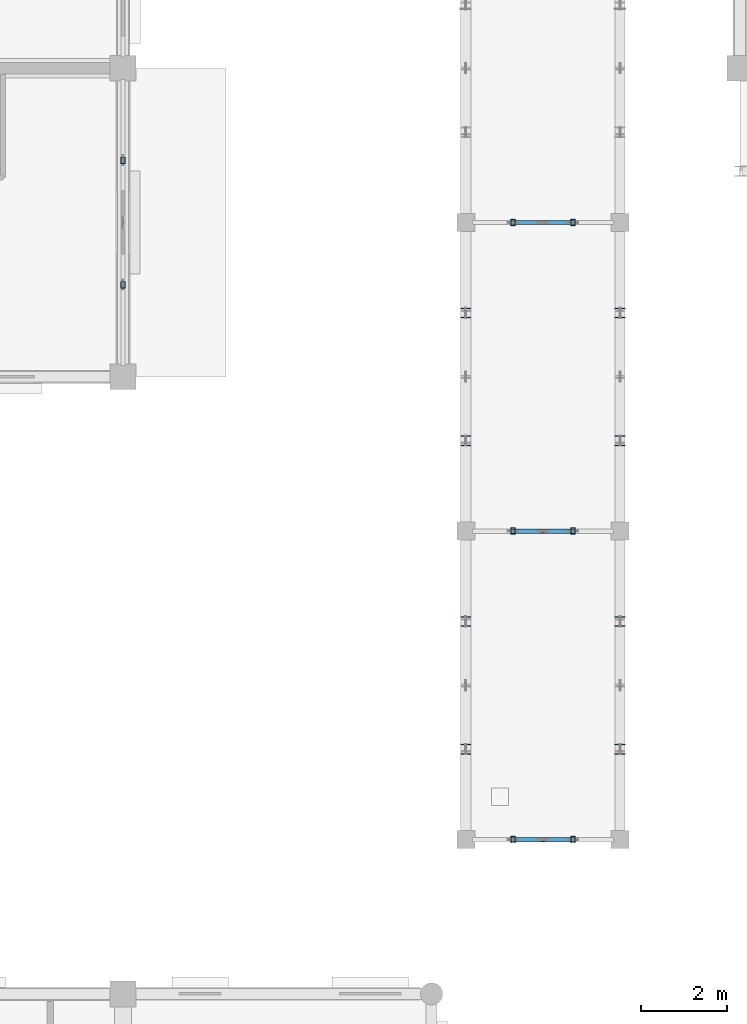
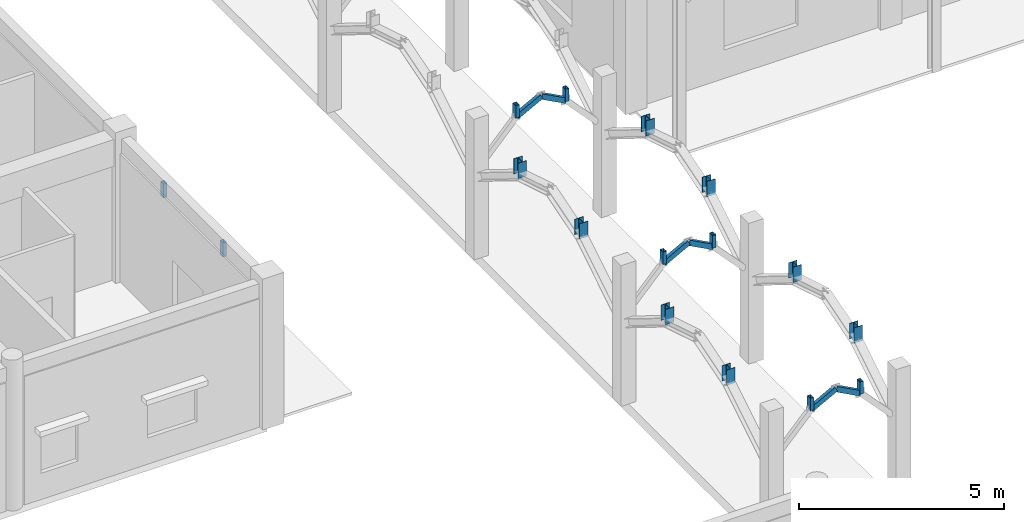
# One storey, part 36 of 138: 22 members.
"""IFC4 building model written with IfcOpenShell, lengths in metres."""

import ifcopenshell
import ifcopenshell.guid

model = None  # the IFC model being written
_history = None  # IfcOwnerHistory: only IFC2X3 demands one
_inside = {}  # id of a spatial element -> (the spatial element, [elements in it])
_under = {}  # id of a project, library or spatial element -> (it, [spatial elements below it])
_declared = {}  # id of a project -> (the project, [libraries it declares])
_typed = {}  # id of a type object -> (the type object, [elements of that type])
_made_of = {}  # id of a material, layer set ... -> (it, [elements and type objects made of it])


def new_model(schema):
    """Start an empty IFC model of exactly this schema.

    Asked for "IFC4X3", IfcOpenShell would pick the latest addendum, in which some entities
    have other attributes; the version numbers below select the first issue.
    IFC2X3 requires an IfcOwnerHistory on every rooted entity: one is made here for all.
    """
    global model, _history
    if schema == "IFC4X3":
        model = ifcopenshell.file(schema_version=(4, 3, 0, 0))
    else:
        model = ifcopenshell.file(schema=schema)
    _inside.clear()
    _under.clear()
    _declared.clear()
    _typed.clear()
    _made_of.clear()
    _history = None
    if model.schema == "IFC2X3":
        org = make("IfcOrganization", Name="unknown")
        user = make(
            "IfcPersonAndOrganization",
            ThePerson=make("IfcPerson", FamilyName="unknown"),
            TheOrganization=org,
        )
        app = make(
            "IfcApplication",
            ApplicationDeveloper=org,
            Version="unknown",
            ApplicationFullName="unknown",
            ApplicationIdentifier="unknown",
        )
        _history = make(
            "IfcOwnerHistory",
            OwningUser=user,
            OwningApplication=app,
            ChangeAction="ADDED",
            CreationDate=0,
        )
    return model


def make(cls, **values):
    """One entity of the class cls with the attributes given. An attribute that is None is left unset."""
    return model.create_entity(
        cls, **{name: value for name, value in values.items() if value is not None}
    )


def rooted(cls, **values):
    """An entity with a GlobalId (a new one), such as an element, a storey or a relation."""
    return make(cls, GlobalId=ifcopenshell.guid.new(), OwnerHistory=_history, **values)


def si_unit(unit_type, name, prefix=None):
    """IfcSIUnit, for example si_unit("LENGTHUNIT", "METRE", prefix="MILLI")."""
    return make("IfcSIUnit", UnitType=unit_type, Prefix=prefix, Name=name)


def assignment(units):
    """IfcUnitAssignment: the units of a project."""
    return None if units is None else make("IfcUnitAssignment", Units=units)


def point(xyz):
    """IfcCartesianPoint."""
    return None if xyz is None else make("IfcCartesianPoint", Coordinates=xyz)


def direction(xyz):
    """IfcDirection."""
    return None if xyz is None else make("IfcDirection", DirectionRatios=xyz)


def frame(location, z_axis=None, x_axis=None):
    """IfcAxis2Placement3D, a coordinate frame: its origin and axes. An axis left out is left unset."""
    return make(
        "IfcAxis2Placement3D",
        Location=point(location),
        Axis=direction(z_axis),
        RefDirection=direction(x_axis),
    )


def frame_2d(location, x_axis=None):
    """IfcAxis2Placement2D, a coordinate frame in the plane: its origin and x axis."""
    return make(
        "IfcAxis2Placement2D", Location=point(location), RefDirection=direction(x_axis)
    )


def origin():
    """The frame at (0, 0, 0) with its axes left unset."""
    return frame((0.0, 0.0, 0.0))


def origin_2d():
    """The frame at (0, 0) in the plane with its x axis left unset."""
    return frame_2d((0.0, 0.0))


def place(relative_to, where):
    """IfcLocalPlacement: puts the frame where relative to a parent placement (None: the world)."""
    return make(
        "IfcLocalPlacement", PlacementRelTo=relative_to, RelativePlacement=where
    )


def context(
    kind, dimensions, precision=None, world=None, true_north=None, identifier=None
):
    """IfcGeometricRepresentationContext, for example the 3D "Model" context."""
    return make(
        "IfcGeometricRepresentationContext",
        ContextIdentifier=identifier,
        ContextType=kind,
        CoordinateSpaceDimension=dimensions,
        Precision=precision,
        WorldCoordinateSystem=world,
        TrueNorth=true_north,
    )


def subcontext(parent, identifier, kind, view, scale=None):
    """IfcGeometricRepresentationSubContext, for example "Body" below "Model"."""
    return make(
        "IfcGeometricRepresentationSubContext",
        ContextIdentifier=identifier,
        ContextType=kind,
        ParentContext=parent,
        TargetScale=scale,
        TargetView=view,
    )


def project(units=None, contexts=None):
    """IfcProject with its units and contexts."""
    return rooted(
        "IfcProject",
        Name="project",
        RepresentationContexts=contexts,
        UnitsInContext=assignment(units),
    )


def spatial(cls, under=None, at=None, **own):
    """A site, building, storey or space (cls), placed at a placement, below another one or the project."""
    s = rooted(cls, ObjectPlacement=at, **own)
    if under is not None:
        _under.setdefault(under.id(), (under, []))[1].append(s)
    return s


def profile(cls, at=None, kind="AREA", **sizes):
    """A parametric profile (cls). Its sizes go by their IFC names, for example OverallWidth=200.0."""
    return make(cls, ProfileType=kind, Position=at, **sizes)


def hollow_rectangle(**sizes):
    """IfcRectangleHollowProfileDef."""
    return profile("IfcRectangleHollowProfileDef", **sizes)


def i_section(**sizes):
    """IfcIShapeProfileDef."""
    return profile("IfcIShapeProfileDef", **sizes)


def extrude(swept, where, along, depth):
    """IfcExtrudedAreaSolid: the profile swept, set in the frame where, extruded along a direction by depth."""
    return make(
        "IfcExtrudedAreaSolid",
        SweptArea=swept,
        Position=where,
        ExtrudedDirection=direction(along),
        Depth=depth,
    )


def shape(context_of_items, identifier, shape_type, items):
    """IfcShapeRepresentation: the items that make up one representation, for example the "Body"."""
    return make(
        "IfcShapeRepresentation",
        ContextOfItems=context_of_items,
        RepresentationIdentifier=identifier,
        RepresentationType=shape_type,
        Items=items,
    )


def material(Name=None, Category=None):
    """IfcMaterial."""
    return make("IfcMaterial", Name=Name, Category=Category)


def material_profile(
    of_material, cross_section, Name=None, Category=None, Priority=None
):
    """IfcMaterialProfile: a cross section and its material."""
    return make(
        "IfcMaterialProfile",
        Name=Name,
        Material=of_material,
        Profile=cross_section,
        Priority=Priority,
        Category=Category,
    )


def profile_set(profiles, Name=None, composite=None):
    """IfcMaterialProfileSet."""
    return make(
        "IfcMaterialProfileSet",
        Name=Name,
        MaterialProfiles=profiles,
        CompositeProfile=composite,
    )


def made_of(thing, what):
    """Note that an element or type object is made of a material, layer set ...; save() writes the relation."""
    if what is not None:
        _made_of.setdefault(what.id(), (what, []))[1].append(thing)
    return thing


def type_object(cls, material=None, **own):
    """A type object (cls), such as IfcWallType, which elements share."""
    return made_of(rooted(cls, **own), material)


def element(
    cls,
    number,
    at=None,
    inside=None,
    cuts=None,
    type_object=None,
    material=None,
    context=None,
    identifier="Body",
    shape_type=None,
    held_by="IfcProductDefinitionShape",
    body=None,
    shapes=None,
    **own,
):
    """One element of the class cls, such as IfcWall. Its Tag is "e" and its number.

    at: its placement. inside: the storey or other place that contains it. cuts: it is an
    opening in that element (IfcRelVoidsElement). A single representation is given by context,
    identifier, shape_type and body (its items); several are given by shapes. held_by: the class
    of the entity that holds the representations. save() writes the other relations.
    """
    e = rooted(cls, Tag="e%d" % number, ObjectPlacement=at, **own)
    if body is not None:
        shapes = [shape(context, identifier, shape_type, body)]
    if shapes is not None:
        e.Representation = make(held_by, Representations=shapes)
    if inside is not None:
        _inside.setdefault(inside.id(), (inside, []))[1].append(e)
    if cuts is not None:
        rooted(
            "IfcRelVoidsElement", RelatingBuildingElement=cuts, RelatedOpeningElement=e
        )
    if type_object is not None:
        _typed.setdefault(type_object.id(), (type_object, []))[1].append(e)
    return made_of(e, material)


def aggregate(whole, parts):
    """IfcRelAggregates: a whole, such as a stair, and the parts it consists of."""
    return rooted("IfcRelAggregates", RelatingObject=whole, RelatedObjects=parts)


def save(model, path):
    """Write the relations noted so far, then the file.

    IfcRelAggregates (storeys below a building ...), IfcRelContainedInSpatialStructure (elements
    in a storey), IfcRelDefinesByType, IfcRelAssociatesMaterial and IfcRelDeclares: one each for
    every whole, place, type object, material and project.
    """
    for whole, parts in _under.values():
        aggregate(whole, parts)
    for where, things in _inside.values():
        rooted(
            "IfcRelContainedInSpatialStructure",
            RelatedElements=things,
            RelatingStructure=where,
        )
    for kind, things in _typed.values():
        rooted("IfcRelDefinesByType", RelatedObjects=things, RelatingType=kind)
    for what, things in _made_of.values():
        rooted("IfcRelAssociatesMaterial", RelatedObjects=things, RelatingMaterial=what)
    for by, libraries in _declared.values():
        rooted("IfcRelDeclares", RelatingContext=by, RelatedDefinitions=libraries)
    model.write(path)


model = new_model("IFC4")

# Units and contexts
model_context = context("Model", 3, precision=1e-05, world=origin(), true_north=direction((0.0, 1.0)))
body_context = subcontext(model_context, "Body", "Model", "MODEL_VIEW")
ifc_project = project(units=[si_unit("LENGTHUNIT", "METRE"), si_unit("AREAUNIT", "SQUARE_METRE"), si_unit("VOLUMEUNIT", "CUBIC_METRE"), si_unit("PLANEANGLEUNIT", "RADIAN"), si_unit("MASSUNIT", "GRAM", prefix="KILO"), si_unit("THERMODYNAMICTEMPERATUREUNIT", "KELVIN"), si_unit("POWERUNIT", "WATT")], contexts=[model_context])

# Site, building, storey
site_placement = place(None, origin())
site = spatial("IfcSite", under=ifc_project, at=site_placement, CompositionType="ELEMENT")
building_placement = place(site_placement, origin())
building = spatial("IfcBuilding", under=site, at=building_placement, Name="Tavuni Mirador Residences", CompositionType="ELEMENT")
storey_placement = place(building_placement, origin())
storey = spatial("IfcBuildingStorey", under=building, at=storey_placement, Name="L00", CompositionType="ELEMENT", Elevation=0.0)

# Members
ifc_material = material(Name="Structural steel S355", Category="steel")
ifc_material_profile_1 = material_profile(ifc_material, hollow_rectangle(XDim=0.10009765625, YDim=0.14990234375, WallThickness=0.008056640625, at=origin_2d()), Name="RHS 150x100x8.0", Category="steel")
ifc_profile_set_1 = profile_set([ifc_material_profile_1], Name="Structural steel S355")
member_type_1 = type_object("IfcMemberType", Name="MT-BR-RHS150", PredefinedType="BRACE", material=ifc_profile_set_1)
member_1_placement = place(storey_placement, frame((34.30029296875, 54.0, 3.70751953125), z_axis=(0.0, 0.0, 1.0), x_axis=(1.0, 0.0, 0.0)))
element("IfcMember", 1, at=member_1_placement, inside=storey, type_object=member_type_1, Name="ARCH-COLO-T-00-V1", PredefinedType="BRACE", context=body_context, shape_type="SweptSolid", body=[
    extrude(hollow_rectangle(XDim=0.10009765625, YDim=0.14990234375, WallThickness=0.008056640625, at=origin_2d()), origin(), (0.0, 0.0, 1.0), 0.37255859375),
])
for number, where, z_axis, x_axis, name in (
    (2, (34.30029296875, 54.0, 3.70751953125), (0.882676699417, 0.0, 0.469980685035), (0.0, 1.0, 0.0), "ARCH-COLO-T-00-S1"),
    (3, (35.0, 54.0, 4.080078125), (0.882676699417, 0.0, -0.469980685035), (0.0, 1.0, 0.0), "ARCH-COLO-T-00-S2"),
):
    element("IfcMember", number, at=place(storey_placement, frame(where, z_axis=z_axis, x_axis=x_axis)), inside=storey, type_object=member_type_1, Name=name, PredefinedType="BRACE", context=body_context, shape_type="SweptSolid", body=[
        extrude(hollow_rectangle(XDim=0.10009765625, YDim=0.14990234375, WallThickness=0.008056640625, at=origin_2d()), origin(), (0.0, 0.0, 1.0), 0.792724609375),
    ])
for number, where, z_axis, x_axis, name in (
    (4, (35.69970703125, 54.0, 3.70751953125), (0.0, 0.0, 1.0), (1.0, 0.0, 0.0), "ARCH-COLO-T-00-V2"),
    (5, (34.30029296875, 61.199951171875, 3.70751953125), (0.0, 0.0, 1.0), (1.0, 0.0, 0.0), "ARCH-COLO-T-01-V1"),
):
    element("IfcMember", number, at=place(storey_placement, frame(where, z_axis=z_axis, x_axis=x_axis)), inside=storey, type_object=member_type_1, Name=name, PredefinedType="BRACE", context=body_context, shape_type="SweptSolid", body=[
        extrude(hollow_rectangle(XDim=0.10009765625, YDim=0.14990234375, WallThickness=0.008056640625, at=origin_2d()), origin(), (0.0, 0.0, 1.0), 0.37255859375),
    ])
for number, where, z_axis, x_axis, name in (
    (6, (34.30029296875, 61.199951171875, 3.70751953125), (0.882676699417, 0.0, 0.469980685035), (0.0, 1.0, 0.0), "ARCH-COLO-T-01-S1"),
    (7, (35.0, 61.199951171875, 4.080078125), (0.882676699417, 0.0, -0.469980685035), (0.0, 1.0, 0.0), "ARCH-COLO-T-01-S2"),
):
    element("IfcMember", number, at=place(storey_placement, frame(where, z_axis=z_axis, x_axis=x_axis)), inside=storey, type_object=member_type_1, Name=name, PredefinedType="BRACE", context=body_context, shape_type="SweptSolid", body=[
        extrude(hollow_rectangle(XDim=0.10009765625, YDim=0.14990234375, WallThickness=0.008056640625, at=origin_2d()), origin(), (0.0, 0.0, 1.0), 0.792724609375),
    ])
for number, where, z_axis, x_axis, name in (
    (8, (35.69970703125, 61.199951171875, 3.70751953125), (0.0, 0.0, 1.0), (1.0, 0.0, 0.0), "ARCH-COLO-T-01-V2"),
    (9, (34.30029296875, 68.39990234375, 3.70751953125), (0.0, 0.0, 1.0), (1.0, 0.0, 0.0), "ARCH-COLO-T-02-V1"),
):
    element("IfcMember", number, at=place(storey_placement, frame(where, z_axis=z_axis, x_axis=x_axis)), inside=storey, type_object=member_type_1, Name=name, PredefinedType="BRACE", context=body_context, shape_type="SweptSolid", body=[
        extrude(hollow_rectangle(XDim=0.10009765625, YDim=0.14990234375, WallThickness=0.008056640625, at=origin_2d()), origin(), (0.0, 0.0, 1.0), 0.37255859375),
    ])
for number, where, z_axis, x_axis, name in (
    (10, (34.30029296875, 68.39990234375, 3.70751953125), (0.882676699417, 0.0, 0.469980685035), (0.0, 1.0, 0.0), "ARCH-COLO-T-02-S1"),
    (11, (35.0, 68.39990234375, 4.080078125), (0.882676699417, 0.0, -0.469980685035), (0.0, 1.0, 0.0), "ARCH-COLO-T-02-S2"),
):
    element("IfcMember", number, at=place(storey_placement, frame(where, z_axis=z_axis, x_axis=x_axis)), inside=storey, type_object=member_type_1, Name=name, PredefinedType="BRACE", context=body_context, shape_type="SweptSolid", body=[
        extrude(hollow_rectangle(XDim=0.10009765625, YDim=0.14990234375, WallThickness=0.008056640625, at=origin_2d()), origin(), (0.0, 0.0, 1.0), 0.792724609375),
    ])
member_2_placement = place(storey_placement, frame((35.69970703125, 68.39990234375, 3.70751953125), z_axis=(0.0, 0.0, 1.0), x_axis=(1.0, 0.0, 0.0)))
element("IfcMember", 12, at=member_2_placement, inside=storey, type_object=member_type_1, Name="ARCH-COLO-T-02-V2", PredefinedType="BRACE", context=body_context, shape_type="SweptSolid", body=[
    extrude(hollow_rectangle(XDim=0.10009765625, YDim=0.14990234375, WallThickness=0.008056640625, at=origin_2d()), origin(), (0.0, 0.0, 1.0), 0.37255859375),
])
for number, where, z_axis, x_axis, name in (
    (13, (25.199951171875, 66.947998046875, 3.6298828125), (0.0, 0.0, 1.0), (1.0, 0.0, 0.0), "ARCH-BLKB-E-00-V1"),
    (14, (25.199951171875, 69.85205078125, 3.6298828125), (0.0, 0.0, 1.0), (1.0, 0.0, 0.0), "ARCH-BLKB-E-00-V2"),
):
    element("IfcMember", number, at=place(storey_placement, frame(where, z_axis=z_axis, x_axis=x_axis)), inside=storey, type_object=member_type_1, Name=name, PredefinedType="BRACE", context=body_context, shape_type="SweptSolid", body=[
        extrude(hollow_rectangle(XDim=0.10009765625, YDim=0.14990234375, WallThickness=0.008056640625, at=origin_2d()), origin(), (0.0, 0.0, 1.0), 0.420166015625),
    ])
ifc_material_profile_2 = material_profile(ifc_material, i_section(OverallWidth=0.239990234375, OverallDepth=0.22998046875, WebThickness=0.007568359375, FlangeThickness=0.011962890625, FilletRadius=0.02099609375, at=origin_2d()), Name="HEA 240", Category="steel")
ifc_profile_set_2 = profile_set([ifc_material_profile_2], Name="Structural steel S355")
member_type_2 = type_object("IfcMemberType", Name="MT-CH-HEA240", PredefinedType="CHORD", material=ifc_profile_set_2)
for number, where, z_axis, x_axis, name in (
    (15, (33.199951171875, 56.1083984375, 3.62353515625), (0.0, 0.0, 1.0), (1.0, 0.0, 0.0), "ARCH-COLO-W-00-V1"),
    (16, (33.199951171875, 59.091552734375, 3.62353515625), (0.0, 0.0, 1.0), (1.0, 0.0, 0.0), "ARCH-COLO-W-00-V2"),
    (17, (36.800048828125, 56.1083984375, 3.62353515625), (0.0, 0.0, 1.0), (1.0, 0.0, 0.0), "ARCH-COLO-E-00-V1"),
    (18, (36.800048828125, 59.091552734375, 3.62353515625), (0.0, 0.0, 1.0), (1.0, 0.0, 0.0), "ARCH-COLO-E-00-V2"),
    (19, (33.199951171875, 63.308349609375, 3.62353515625), (0.0, 0.0, 1.0), (1.0, 0.0, 0.0), "ARCH-COLO-W-01-V1"),
    (20, (33.199951171875, 66.29150390625, 3.62353515625), (0.0, 0.0, 1.0), (1.0, 0.0, 0.0), "ARCH-COLO-W-01-V2"),
    (21, (36.800048828125, 63.308349609375, 3.62353515625), (0.0, 0.0, 1.0), (1.0, 0.0, 0.0), "ARCH-COLO-E-01-V1"),
    (22, (36.800048828125, 66.29150390625, 3.62353515625), (0.0, 0.0, 1.0), (1.0, 0.0, 0.0), "ARCH-COLO-E-01-V2"),
):
    element("IfcMember", number, at=place(storey_placement, frame(where, z_axis=z_axis, x_axis=x_axis)), inside=storey, type_object=member_type_2, Name=name, PredefinedType="CHORD", context=body_context, shape_type="SweptSolid", body=[
        extrude(i_section(OverallWidth=0.239990234375, OverallDepth=0.22998046875, WebThickness=0.007568359375, FlangeThickness=0.011962890625, FilletRadius=0.02099609375, at=origin_2d()), origin(), (0.0, 0.0, 1.0), 0.45654296875),
    ])

save(model, "model.ifc")
